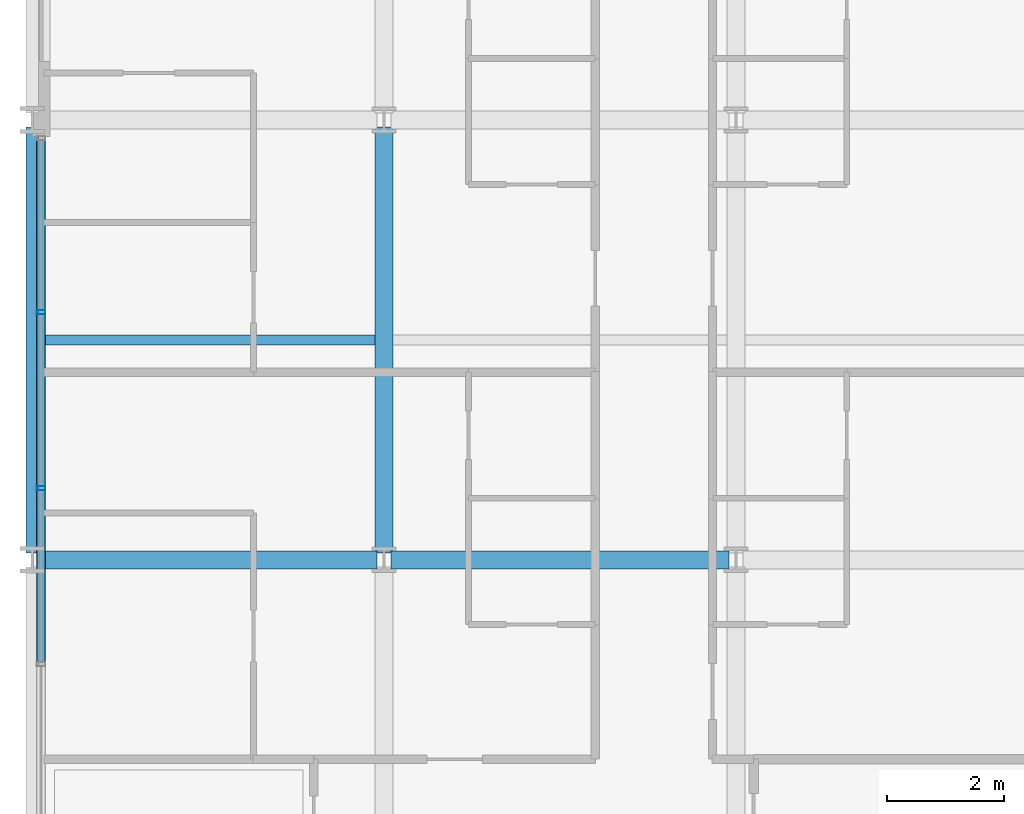
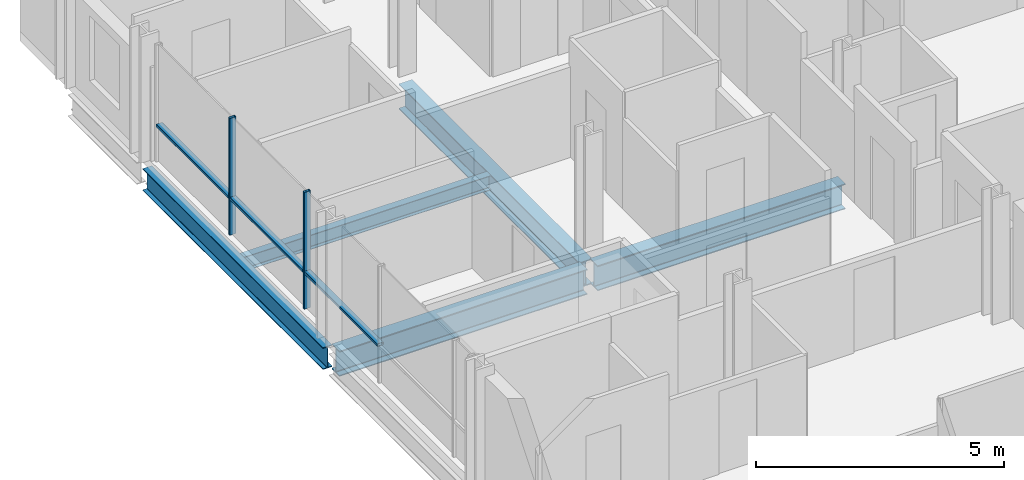
# One storey, part 5 of 40: 5 beams, 5 members, 1 element without a shape of its own.
"""IFC4 building model written with IfcOpenShell, lengths in metres."""

import ifcopenshell
import ifcopenshell.guid

model = None  # the IFC model being written
_history = None  # IfcOwnerHistory: only IFC2X3 demands one
_inside = {}  # id of a spatial element -> (the spatial element, [elements in it])
_under = {}  # id of a project, library or spatial element -> (it, [spatial elements below it])
_declared = {}  # id of a project -> (the project, [libraries it declares])
_typed = {}  # id of a type object -> (the type object, [elements of that type])
_made_of = {}  # id of a material, layer set ... -> (it, [elements and type objects made of it])


def new_model(schema):
    """Start an empty IFC model of exactly this schema.

    Asked for "IFC4X3", IfcOpenShell would pick the latest addendum, in which some entities
    have other attributes; the version numbers below select the first issue.
    IFC2X3 requires an IfcOwnerHistory on every rooted entity: one is made here for all.
    """
    global model, _history
    if schema == "IFC4X3":
        model = ifcopenshell.file(schema_version=(4, 3, 0, 0))
    else:
        model = ifcopenshell.file(schema=schema)
    _inside.clear()
    _under.clear()
    _declared.clear()
    _typed.clear()
    _made_of.clear()
    _history = None
    if model.schema == "IFC2X3":
        org = make("IfcOrganization", Name="unknown")
        user = make(
            "IfcPersonAndOrganization",
            ThePerson=make("IfcPerson", FamilyName="unknown"),
            TheOrganization=org,
        )
        app = make(
            "IfcApplication",
            ApplicationDeveloper=org,
            Version="unknown",
            ApplicationFullName="unknown",
            ApplicationIdentifier="unknown",
        )
        _history = make(
            "IfcOwnerHistory",
            OwningUser=user,
            OwningApplication=app,
            ChangeAction="ADDED",
            CreationDate=0,
        )
    return model


def make(cls, **values):
    """One entity of the class cls with the attributes given. An attribute that is None is left unset."""
    return model.create_entity(
        cls, **{name: value for name, value in values.items() if value is not None}
    )


def rooted(cls, **values):
    """An entity with a GlobalId (a new one), such as an element, a storey or a relation."""
    return make(cls, GlobalId=ifcopenshell.guid.new(), OwnerHistory=_history, **values)


def si_unit(unit_type, name, prefix=None):
    """IfcSIUnit, for example si_unit("LENGTHUNIT", "METRE", prefix="MILLI")."""
    return make("IfcSIUnit", UnitType=unit_type, Prefix=prefix, Name=name)


def assignment(units):
    """IfcUnitAssignment: the units of a project."""
    return None if units is None else make("IfcUnitAssignment", Units=units)


def point(xyz):
    """IfcCartesianPoint."""
    return None if xyz is None else make("IfcCartesianPoint", Coordinates=xyz)


def direction(xyz):
    """IfcDirection."""
    return None if xyz is None else make("IfcDirection", DirectionRatios=xyz)


def frame(location, z_axis=None, x_axis=None):
    """IfcAxis2Placement3D, a coordinate frame: its origin and axes. An axis left out is left unset."""
    return make(
        "IfcAxis2Placement3D",
        Location=point(location),
        Axis=direction(z_axis),
        RefDirection=direction(x_axis),
    )


def frame_2d(location, x_axis=None):
    """IfcAxis2Placement2D, a coordinate frame in the plane: its origin and x axis."""
    return make(
        "IfcAxis2Placement2D", Location=point(location), RefDirection=direction(x_axis)
    )


def origin():
    """The frame at (0, 0, 0) with its axes left unset."""
    return frame((0.0, 0.0, 0.0))


def origin_2d():
    """The frame at (0, 0) in the plane with its x axis left unset."""
    return frame_2d((0.0, 0.0))


def place(relative_to, where):
    """IfcLocalPlacement: puts the frame where relative to a parent placement (None: the world)."""
    return make(
        "IfcLocalPlacement", PlacementRelTo=relative_to, RelativePlacement=where
    )


def context(
    kind, dimensions, precision=None, world=None, true_north=None, identifier=None
):
    """IfcGeometricRepresentationContext, for example the 3D "Model" context."""
    return make(
        "IfcGeometricRepresentationContext",
        ContextIdentifier=identifier,
        ContextType=kind,
        CoordinateSpaceDimension=dimensions,
        Precision=precision,
        WorldCoordinateSystem=world,
        TrueNorth=true_north,
    )


def subcontext(parent, identifier, kind, view, scale=None):
    """IfcGeometricRepresentationSubContext, for example "Body" below "Model"."""
    return make(
        "IfcGeometricRepresentationSubContext",
        ContextIdentifier=identifier,
        ContextType=kind,
        ParentContext=parent,
        TargetScale=scale,
        TargetView=view,
    )


def project(units=None, contexts=None):
    """IfcProject with its units and contexts."""
    return rooted(
        "IfcProject",
        Name="project",
        RepresentationContexts=contexts,
        UnitsInContext=assignment(units),
    )


def spatial(cls, under=None, at=None, **own):
    """A site, building, storey or space (cls), placed at a placement, below another one or the project."""
    s = rooted(cls, ObjectPlacement=at, **own)
    if under is not None:
        _under.setdefault(under.id(), (under, []))[1].append(s)
    return s


def profile(cls, at=None, kind="AREA", **sizes):
    """A parametric profile (cls). Its sizes go by their IFC names, for example OverallWidth=200.0."""
    return make(cls, ProfileType=kind, Position=at, **sizes)


def hollow_rectangle(**sizes):
    """IfcRectangleHollowProfileDef."""
    return profile("IfcRectangleHollowProfileDef", **sizes)


def i_section(**sizes):
    """IfcIShapeProfileDef."""
    return profile("IfcIShapeProfileDef", **sizes)


def extrude(swept, where, along, depth):
    """IfcExtrudedAreaSolid: the profile swept, set in the frame where, extruded along a direction by depth."""
    return make(
        "IfcExtrudedAreaSolid",
        SweptArea=swept,
        Position=where,
        ExtrudedDirection=direction(along),
        Depth=depth,
    )


def shape(context_of_items, identifier, shape_type, items):
    """IfcShapeRepresentation: the items that make up one representation, for example the "Body"."""
    return make(
        "IfcShapeRepresentation",
        ContextOfItems=context_of_items,
        RepresentationIdentifier=identifier,
        RepresentationType=shape_type,
        Items=items,
    )


def material(Name=None, Category=None):
    """IfcMaterial."""
    return make("IfcMaterial", Name=Name, Category=Category)


def layer(
    of_material, thickness, ventilated=None, Name=None, Category=None, Priority=None
):
    """IfcMaterialLayer: one layer of a wall or slab, of a material (None: an air gap)."""
    return make(
        "IfcMaterialLayer",
        Material=of_material,
        LayerThickness=thickness,
        IsVentilated=ventilated,
        Name=Name,
        Category=Category,
        Priority=Priority,
    )


def layer_set(layers, Name=None):
    """IfcMaterialLayerSet."""
    return make("IfcMaterialLayerSet", MaterialLayers=layers, LayerSetName=Name)


def material_profile(
    of_material, cross_section, Name=None, Category=None, Priority=None
):
    """IfcMaterialProfile: a cross section and its material."""
    return make(
        "IfcMaterialProfile",
        Name=Name,
        Material=of_material,
        Profile=cross_section,
        Priority=Priority,
        Category=Category,
    )


def profile_set(profiles, Name=None, composite=None):
    """IfcMaterialProfileSet."""
    return make(
        "IfcMaterialProfileSet",
        Name=Name,
        MaterialProfiles=profiles,
        CompositeProfile=composite,
    )


def made_of(thing, what):
    """Note that an element or type object is made of a material, layer set ...; save() writes the relation."""
    if what is not None:
        _made_of.setdefault(what.id(), (what, []))[1].append(thing)
    return thing


def type_object(cls, material=None, **own):
    """A type object (cls), such as IfcWallType, which elements share."""
    return made_of(rooted(cls, **own), material)


def element(
    cls,
    number,
    at=None,
    inside=None,
    cuts=None,
    type_object=None,
    material=None,
    context=None,
    identifier="Body",
    shape_type=None,
    held_by="IfcProductDefinitionShape",
    body=None,
    shapes=None,
    **own,
):
    """One element of the class cls, such as IfcWall. Its Tag is "e" and its number.

    at: its placement. inside: the storey or other place that contains it. cuts: it is an
    opening in that element (IfcRelVoidsElement). A single representation is given by context,
    identifier, shape_type and body (its items); several are given by shapes. held_by: the class
    of the entity that holds the representations. save() writes the other relations.
    """
    e = rooted(cls, Tag="e%d" % number, ObjectPlacement=at, **own)
    if body is not None:
        shapes = [shape(context, identifier, shape_type, body)]
    if shapes is not None:
        e.Representation = make(held_by, Representations=shapes)
    if inside is not None:
        _inside.setdefault(inside.id(), (inside, []))[1].append(e)
    if cuts is not None:
        rooted(
            "IfcRelVoidsElement", RelatingBuildingElement=cuts, RelatedOpeningElement=e
        )
    if type_object is not None:
        _typed.setdefault(type_object.id(), (type_object, []))[1].append(e)
    return made_of(e, material)


def aggregate(whole, parts):
    """IfcRelAggregates: a whole, such as a stair, and the parts it consists of."""
    return rooted("IfcRelAggregates", RelatingObject=whole, RelatedObjects=parts)


def save(model, path):
    """Write the relations noted so far, then the file.

    IfcRelAggregates (storeys below a building ...), IfcRelContainedInSpatialStructure (elements
    in a storey), IfcRelDefinesByType, IfcRelAssociatesMaterial and IfcRelDeclares: one each for
    every whole, place, type object, material and project.
    """
    for whole, parts in _under.values():
        aggregate(whole, parts)
    for where, things in _inside.values():
        rooted(
            "IfcRelContainedInSpatialStructure",
            RelatedElements=things,
            RelatingStructure=where,
        )
    for kind, things in _typed.values():
        rooted("IfcRelDefinesByType", RelatedObjects=things, RelatingType=kind)
    for what, things in _made_of.values():
        rooted("IfcRelAssociatesMaterial", RelatedObjects=things, RelatingMaterial=what)
    for by, libraries in _declared.values():
        rooted("IfcRelDeclares", RelatingContext=by, RelatedDefinitions=libraries)
    model.write(path)


model = new_model("IFC4")

# Units and contexts
model_context = context("Model", 3, precision=1e-05, world=origin(), true_north=direction((0.0, 1.0)))
body_context = subcontext(model_context, "Body", "Model", "MODEL_VIEW")
ifc_project = project(units=[si_unit("LENGTHUNIT", "METRE"), si_unit("AREAUNIT", "SQUARE_METRE"), si_unit("VOLUMEUNIT", "CUBIC_METRE"), si_unit("PLANEANGLEUNIT", "RADIAN"), si_unit("MASSUNIT", "GRAM", prefix="KILO")], contexts=[model_context])

# Site, building, storey
site_placement = place(None, origin())
site = spatial("IfcSite", under=ifc_project, at=site_placement, CompositionType="ELEMENT")
building_placement = place(site_placement, origin())
building = spatial("IfcBuilding", under=site, at=building_placement, Name="Brevholm Reach", CompositionType="ELEMENT")
storey_placement = place(building_placement, frame((0.0, 0.0, 80.699951171875)))
storey = spatial("IfcBuildingStorey", under=building, at=storey_placement, Name="L23", CompositionType="ELEMENT", Elevation=80.699951171875)

# Beams
ifc_material_1 = material(Name="Structural Steel S355J2", Category="steel")
ifc_material_profile_1 = material_profile(ifc_material_1, i_section(OverallWidth=0.17138671875, OverallDepth=0.35498046875, WebThickness=0.00732421875, FlangeThickness=0.011474609375, FilletRadius=0.01025390625, at=origin_2d()), Name="UKB 356x171x51")
ifc_profile_set_1 = profile_set([ifc_material_profile_1], Name="Structural Steel S355J2")
beam_type_1 = type_object("IfcBeamType", Name="BM-B356", PredefinedType="BEAM", material=ifc_profile_set_1)
beam_1_placement = place(storey_placement, frame((0.10546875, 19.75, -0.407470703125), z_axis=(1.0, 0.0, 0.0), x_axis=(0.0, 1.0, 0.0)))
element("IfcBeam", 1, at=beam_1_placement, inside=storey, type_object=beam_type_1, Name="L23 Composite Secondary Floor Beam", PredefinedType="BEAM", context=body_context, shape_type="SweptSolid", body=[
    extrude(i_section(OverallWidth=0.17138671875, OverallDepth=0.35498046875, WebThickness=0.00732421875, FlangeThickness=0.011474609375, FilletRadius=0.01025390625, at=origin_2d()), origin(), (0.0, 0.0, 1.0), 5.740966796875),
])
ifc_material_2 = material(Name="Structural Steel S355J2", Category="steel")
ifc_material_profile_2 = material_profile(ifc_material_2, i_section(OverallWidth=0.210693359375, OverallDepth=0.53955078125, WebThickness=0.01171875, FlangeThickness=0.018798828125, FilletRadius=0.0126953125, at=origin_2d()), Name="UKB 533x210x109")
ifc_profile_set_2 = profile_set([ifc_material_profile_2], Name="Structural Steel S355J2")
beam_type_2 = type_object("IfcBeamType", Name="BM-SP539", PredefinedType="SPANDREL", material=ifc_profile_set_2)
beam_2_placement = place(storey_placement, frame((0.0, 16.1201171875, -0.499755859375), z_axis=(0.0, 1.0, 0.0), x_axis=(-1.0, 0.0, 0.0)))
element("IfcBeam", 2, at=beam_2_placement, inside=storey, type_object=beam_type_2, Name="L23 SP-01B Framing Beam", PredefinedType="SPANDREL", context=body_context, shape_type="SweptSolid", body=[
    extrude(i_section(OverallWidth=0.210693359375, OverallDepth=0.53955078125, WebThickness=0.01171875, FlangeThickness=0.018798828125, FilletRadius=0.0126953125, at=origin_2d()), origin(), (0.0, 0.0, 1.0), 7.259765625),
])
ifc_material_3 = material(Name="Structural Steel S355J2", Category="steel")
ifc_material_profile_3 = material_profile(ifc_material_3, i_section(OverallWidth=0.30712890625, OverallDepth=0.6201171875, WebThickness=0.01416015625, FlangeThickness=0.023681640625, FilletRadius=0.0166015625, at=origin_2d()), Name="UKB 610x305x179")
ifc_profile_set_3 = profile_set([ifc_material_profile_3], Name="Structural Steel S355J2")
beam_type_3 = type_object("IfcBeamType", Name="BM-UKB610H", PredefinedType="USERDEFINED", material=ifc_profile_set_3)
for number, where, z_axis, x_axis, name in (
    (3, (0.1201171875, 16.0, -0.5400390625), (1.0, 0.0, 0.0), (0.0, 1.0, 0.0), "L23 G-06 Framing Beam"),
    (4, (6.1201171875, 16.0, -0.5400390625), (1.0, 0.0, 0.0), (0.0, 1.0, 0.0), "L23 G-06 Framing Beam"),
):
    element("IfcBeam", number, at=place(storey_placement, frame(where, z_axis=z_axis, x_axis=x_axis)), inside=storey, type_object=beam_type_3, Name=name, ObjectType="GIRDER", PredefinedType="USERDEFINED", context=body_context, shape_type="SweptSolid", body=[
        extrude(i_section(OverallWidth=0.30712890625, OverallDepth=0.6201171875, WebThickness=0.01416015625, FlangeThickness=0.023681640625, FilletRadius=0.0166015625, at=origin_2d()), origin(), (0.0, 0.0, 1.0), 5.759765625),
    ])
beam_3_placement = place(storey_placement, frame((6.0, 16.1201171875, -0.5400390625), z_axis=(0.0, 1.0, 0.0), x_axis=(-1.0, 0.0, 0.0)))
element("IfcBeam", 5, at=beam_3_placement, inside=storey, type_object=beam_type_3, Name="L23 G-06 Framing Beam", ObjectType="GIRDER", PredefinedType="USERDEFINED", context=body_context, shape_type="SweptSolid", body=[
    extrude(i_section(OverallWidth=0.30712890625, OverallDepth=0.6201171875, WebThickness=0.01416015625, FlangeThickness=0.023681640625, FilletRadius=0.0166015625, at=origin_2d()), origin(), (0.0, 0.0, 1.0), 7.259765625),
])

# Curtain wall, members
ifc_material_4 = material(Name="Dark Anodised Aluminium 6063-T6 and Solar-Control Glass", Category="aluminium")
ifc_layer = layer(ifc_material_4, 0.14990234375)
ifc_layer_set = layer_set([ifc_layer], Name="Dark Anodised Aluminium 6063-T6 and Solar-Control Glass")
curtain_wall_type = type_object("IfcCurtainWallType", Name="CW-01", PredefinedType="NOTDEFINED", material=ifc_layer_set)
curtain_wall_placement = place(storey_placement, origin())
curtain_wall = element("IfcCurtainWall", 6, at=curtain_wall_placement, inside=storey, type_object=curtain_wall_type, Name="L23 Curtain Wall CW-01", PredefinedType="NOTDEFINED")
ifc_material_5 = material(Name="Dark Anodised Aluminium 6063-T6", Category="aluminium")
ifc_material_profile_4 = material_profile(ifc_material_5, hollow_rectangle(XDim=0.06494140625, YDim=0.14990234375, WallThickness=0.0048828125, InnerFilletRadius=0.0048828125, OuterFilletRadius=0.010009765625, at=origin_2d()), Name="RHS 150x65x5")
ifc_profile_set_4 = profile_set([ifc_material_profile_4], Name="Dark Anodised Aluminium 6063-T6")
member_type_1 = type_object("IfcMemberType", Name="CWM-150", PredefinedType="MULLION", material=ifc_profile_set_4)
member_1_placement = place(storey_placement, frame((0.14990234375, 20.219970703125, 0.0), z_axis=(0.0, 0.0, 1.0), x_axis=(0.0, -1.0, 0.0)))
member_1 = element("IfcMember", 7, at=member_1_placement, type_object=member_type_1, Name="CM-150 Mullion 2", PredefinedType="MULLION", context=body_context, shape_type="SweptSolid", body=[
    extrude(hollow_rectangle(XDim=0.06494140625, YDim=0.14990234375, WallThickness=0.0048828125, InnerFilletRadius=0.0048828125, OuterFilletRadius=0.010009765625, at=origin_2d()), origin(), (0.0, 0.0, 1.0), 2.8701171875),
])
member_2_placement = place(storey_placement, frame((0.14990234375, 17.219970703125, 0.0), z_axis=(0.0, 0.0, 1.0), x_axis=(0.0, -1.0, 0.0)))
member_2 = element("IfcMember", 8, at=member_2_placement, type_object=member_type_1, Name="CM-150 Mullion 3", PredefinedType="MULLION", context=body_context, shape_type="SweptSolid", body=[
    extrude(hollow_rectangle(XDim=0.06494140625, YDim=0.14990234375, WallThickness=0.0048828125, InnerFilletRadius=0.0048828125, OuterFilletRadius=0.010009765625, at=origin_2d()), origin(), (0.0, 0.0, 1.0), 2.8701171875),
])
ifc_material_6 = material(Name="Dark Anodised Aluminium 6063-T6", Category="aluminium")
ifc_material_profile_5 = material_profile(ifc_material_6, hollow_rectangle(XDim=0.06494140625, YDim=0.14990234375, WallThickness=0.0048828125, InnerFilletRadius=0.0048828125, OuterFilletRadius=0.010009765625, at=origin_2d()), Name="RHS 150x65x5")
ifc_profile_set_5 = profile_set([ifc_material_profile_5], Name="Dark Anodised Aluminium 6063-T6")
member_type_2 = type_object("IfcMemberType", Name="CWT-150", PredefinedType="NOTDEFINED", material=ifc_profile_set_5)
member_3_placement = place(storey_placement, frame((0.14990234375, 23.155029296875, 0.900146484375), z_axis=(0.0, -1.0, 0.0), x_axis=(0.0, 0.0, 1.0)))
member_3 = element("IfcMember", 9, at=member_3_placement, type_object=member_type_2, Name="CT-150 Transom 1.1", ObjectType="TRANSOM", PredefinedType="USERDEFINED", context=body_context, shape_type="SweptSolid", body=[
    extrude(hollow_rectangle(XDim=0.06494140625, YDim=0.14990234375, WallThickness=0.0048828125, InnerFilletRadius=0.0048828125, OuterFilletRadius=0.010009765625, at=origin_2d()), origin(), (0.0, 0.0, 1.0), 2.902587890625),
])
member_4_placement = place(storey_placement, frame((0.14990234375, 20.1875, 0.900146484375), z_axis=(0.0, -1.0, 0.0), x_axis=(0.0, 0.0, 1.0)))
member_4 = element("IfcMember", 10, at=member_4_placement, type_object=member_type_2, Name="CT-150 Transom 2.1", ObjectType="TRANSOM", PredefinedType="USERDEFINED", context=body_context, shape_type="SweptSolid", body=[
    extrude(hollow_rectangle(XDim=0.06494140625, YDim=0.14990234375, WallThickness=0.0048828125, InnerFilletRadius=0.0048828125, OuterFilletRadius=0.010009765625, at=origin_2d()), origin(), (0.0, 0.0, 1.0), 2.93505859375),
])
member_5_placement = place(storey_placement, frame((0.14990234375, 17.1875, 0.900146484375), z_axis=(0.0, -1.0, 0.0), x_axis=(0.0, 0.0, 1.0)))
member_5 = element("IfcMember", 11, at=member_5_placement, type_object=member_type_2, Name="CT-150 Transom 3.1", ObjectType="TRANSOM", PredefinedType="USERDEFINED", context=body_context, shape_type="SweptSolid", body=[
    extrude(hollow_rectangle(XDim=0.06494140625, YDim=0.14990234375, WallThickness=0.0048828125, InnerFilletRadius=0.0048828125, OuterFilletRadius=0.010009765625, at=origin_2d()), origin(), (0.0, 0.0, 1.0), 2.93505859375),
])
aggregate(curtain_wall, [member_1, member_2, member_3, member_4, member_5])

save(model, "model.ifc")
